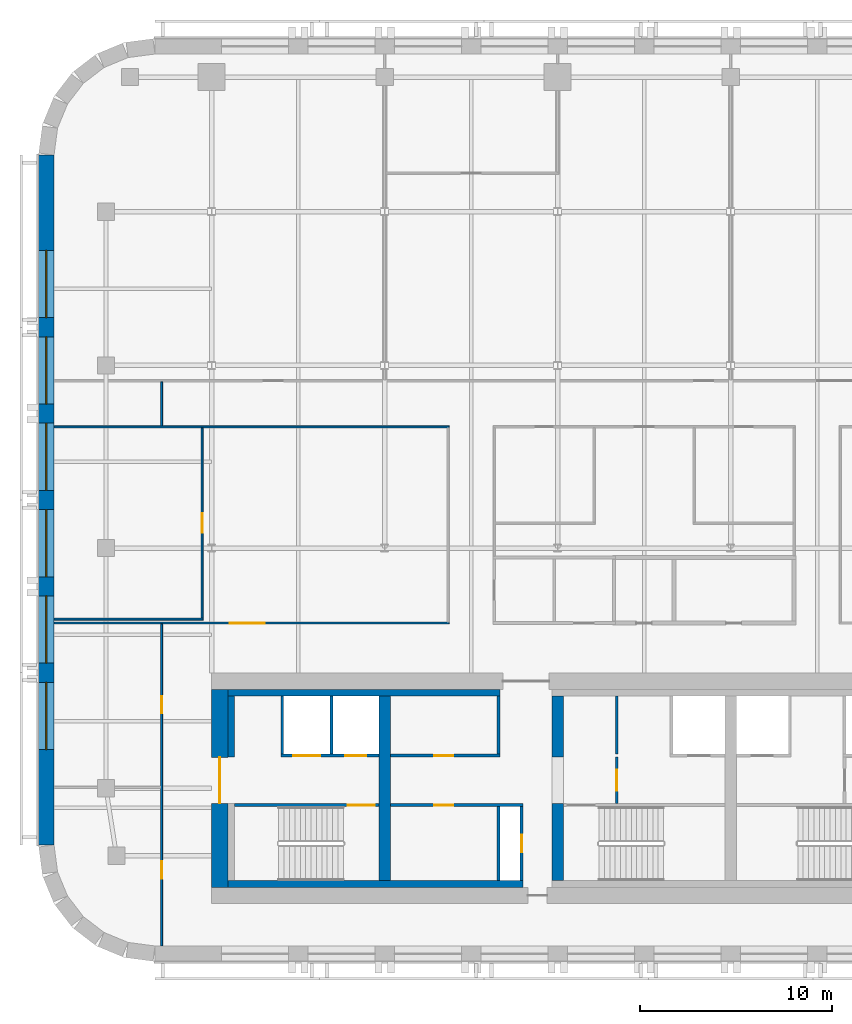
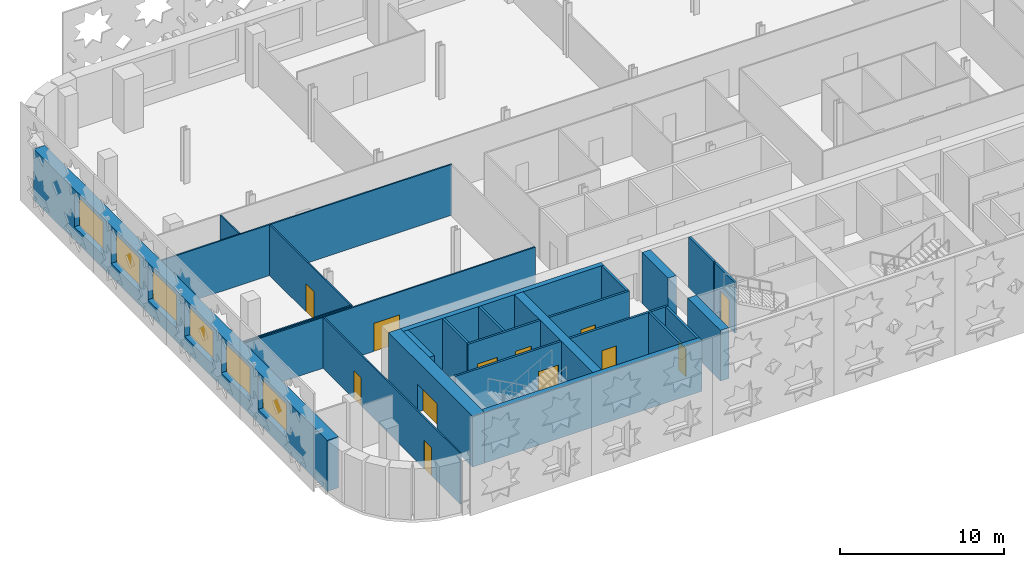
# One storey, part 3 of 12: 25 walls, 12 doors, 6 windows, 18 openings.
"""IFC4 building model written with IfcOpenShell, lengths in metres."""

from ifc_helpers import new_model, si_unit, direction, frame, frame_2d, origin, place, context, subcontext, project, spatial, rectangle, extrude, material, layer, layer_set, type_object, element, fill, save


model = new_model("IFC4")

# Units and contexts
model_context = context("Model", 3, precision=1e-05, world=origin(), true_north=direction((0.0, 1.0)))
body_context = subcontext(model_context, "Body", "Model", "MODEL_VIEW")
ifc_project = project(units=[si_unit("LENGTHUNIT", "METRE"), si_unit("AREAUNIT", "SQUARE_METRE"), si_unit("VOLUMEUNIT", "CUBIC_METRE"), si_unit("PLANEANGLEUNIT", "RADIAN"), si_unit("MASSUNIT", "GRAM", prefix="KILO")], contexts=[model_context])

# Site, building, storey
site_placement = place(None, origin())
site = spatial("IfcSite", under=ifc_project, at=site_placement, CompositionType="ELEMENT")
building_placement = place(site_placement, origin())
building = spatial("IfcBuilding", under=site, at=building_placement, Name="Zellij Exchange Tower", CompositionType="ELEMENT")
storey_placement = place(building_placement, frame((0.0, 0.0, 204.5)))
storey = spatial("IfcBuildingStorey", under=building, at=storey_placement, Name="L47", CompositionType="ELEMENT", Elevation=204.5)

# Walls
ifc_material_1 = material(Name="Concrete C60/75", Category="concrete")
ifc_layer_1 = layer(ifc_material_1, 0.60009765625)
ifc_layer_set_1 = layer_set([ifc_layer_1], Name="Concrete C60/75")
wall_type_1 = type_object("IfcWallType", Name="CORE-CW 600 C60/75", PredefinedType="SHEAR", material=ifc_layer_set_1)
wall_1_placement = place(storey_placement, frame((-18.0, -12.800048828125, 0.0), z_axis=(0.0, 0.0, 1.0), x_axis=(0.0, 1.0, 0.0)))
element("IfcWall", 1, at=wall_1_placement, inside=storey, type_object=wall_type_1, Name="Core cross wall x -18 L47", PredefinedType="SHEAR", context=body_context, shape_type="SweptSolid", body=[
    extrude(rectangle(XDim=9.60009765625, YDim=0.60009765625, at=frame_2d((4.800048828125, 0.0))), origin(), (0.0, 0.0, 1.0), 3.800048828125),
])
wall_2_placement = place(storey_placement, frame((-9.0, -12.800048828125, 0.0), z_axis=(0.0, 0.0, 1.0), x_axis=(0.0, 1.0, 0.0)))
element("IfcWall", 2, at=wall_2_placement, inside=storey, type_object=wall_type_1, Name="Core cross wall pier x -9 a L47", PredefinedType="SHEAR", context=body_context, shape_type="SweptSolid", body=[
    extrude(rectangle(XDim=4.0, YDim=0.60009765625, at=frame_2d((2.0, 0.0))), origin(), (0.0, 0.0, 1.0), 3.800048828125),
])
wall_3_placement = place(storey_placement, frame((-9.0, -6.375, 0.0), z_axis=(0.0, 0.0, 1.0), x_axis=(0.0, 1.0, 0.0)))
element("IfcWall", 3, at=wall_3_placement, inside=storey, type_object=wall_type_1, Name="Core cross wall pier x -9 b L47", PredefinedType="SHEAR", context=body_context, shape_type="SweptSolid", body=[
    extrude(rectangle(XDim=3.175048828125, YDim=0.60009765625, at=frame_2d((1.58740234375, 0.0))), origin(), (0.0, 0.0, 1.0), 3.800048828125),
])
ifc_material_2 = material(Name="Concrete C30/37", Category="concrete")
ifc_layer_2 = layer(ifc_material_2, 0.35009765625)
ifc_layer_set_2 = layer_set([ifc_layer_2], Name="Concrete C30/37")
wall_type_2 = type_object("IfcWallType", Name="CORE-LW 350 C30/37", PredefinedType="SHEAR", material=ifc_layer_set_2)
wall_4_placement = place(storey_placement, frame((-26.14990234375, -3.02490234375, 0.0), z_axis=(0.0, 0.0, 1.0), x_axis=(1.0, 0.0, 0.0)))
element("IfcWall", 4, at=wall_4_placement, inside=storey, type_object=wall_type_2, Name="Core wall lining front.0 L47", PredefinedType="SHEAR", context=body_context, shape_type="SweptSolid", body=[
    extrude(rectangle(XDim=14.14990234375, YDim=0.35009765625, at=frame_2d((7.074951171875, 0.0))), origin(), (0.0, 0.0, 1.0), 3.800048828125),
])
wall_5_placement = place(storey_placement, frame((-26.14990234375, -12.97509765625, 0.0), z_axis=(0.0, 0.0, 1.0), x_axis=(1.0, 0.0, 0.0)))
element("IfcWall", 5, at=wall_5_placement, inside=storey, type_object=wall_type_2, Name="Core wall lining rear.0 L47", PredefinedType="SHEAR", context=body_context, shape_type="SweptSolid", body=[
    extrude(rectangle(XDim=15.349853515625, YDim=0.35009765625, at=frame_2d((7.6748046875, 0.0))), origin(), (0.0, 0.0, 1.0), 3.800048828125),
])
wall_6_placement = place(storey_placement, frame((-25.97509765625, -6.375, 0.0), z_axis=(0.0, 0.0, 1.0), x_axis=(0.0, 1.0, 0.0)))
element("IfcWall", 6, at=wall_6_placement, inside=storey, type_object=wall_type_2, Name="Core wall lining end w.1 L47", PredefinedType="SHEAR", context=body_context, shape_type="SweptSolid", body=[
    extrude(rectangle(XDim=3.175048828125, YDim=0.35009765625, at=frame_2d((1.58740234375, 0.0))), origin(), (0.0, 0.0, 1.0), 3.800048828125),
])

# Wall, opening, door
ifc_material_3 = material(Name="Gypsum shaft wall system")
ifc_layer_3 = layer(ifc_material_3, 0.14990234375)
ifc_layer_set_3 = layer_set([ifc_layer_3], Name="Gypsum shaft wall system")
wall_type_3 = type_object("IfcWallType", Name="CORE-PW 150 Firefighting lobby wall", PredefinedType="PARTITIONING", material=ifc_layer_set_3)
wall_7_placement = place(storey_placement, frame((-5.925048828125, -8.800048828125, 0.0), z_axis=(0.0, 0.0, 1.0), x_axis=(0.0, 1.0, 0.0)))
wall_7 = element("IfcWall", 7, at=wall_7_placement, inside=storey, type_object=wall_type_3, Name="Firefighting lobby wall L47", PredefinedType="PARTITIONING", context=body_context, shape_type="SweptSolid", body=[
    extrude(rectangle(XDim=2.425048828125, YDim=0.14990234375, at=frame_2d((1.21240234375, 0.0))), origin(), (0.0, 0.0, 1.0), 3.800048828125),
])
opening_1_placement = place(wall_7_placement, frame((0.662109375, 0.0, 0.0)))
opening_1 = element("IfcOpeningElement", 8, at=opening_1_placement, cuts=wall_7, Name="Opening CA-24.11", PredefinedType="OPENING", context=body_context, shape_type="SweptSolid", body=[
    extrude(rectangle(XDim=1.10009765625, YDim=2.10009765625, at=frame_2d((0.550048828125, 1.050048828125))), frame((0.0, 0.0869140625, 0.0), z_axis=(0.0, -1.0, 0.0), x_axis=(1.0, 0.0, 0.0)), (0.0, 0.0, 1.0), 0.173828125),
])
ifc_material_4 = material(Name="Hollow metal fire door")
door_type_1 = type_object("IfcDoorType", Name="CORE-D F Firefighting lobby door 1100x2100 1 HR", OperationType="NOTDEFINED", PredefinedType="DOOR", material=ifc_material_4)
door_1_placement = place(opening_1_placement, origin())
door_1 = element("IfcDoor", 9, at=door_1_placement, inside=storey, type_object=door_type_1, Name="Firefighting lobby door CA-24.11", OperationType="SINGLE_SWING_LEFT", OverallHeight=2.10009765625, OverallWidth=1.10009765625, PredefinedType="DOOR", context=body_context, shape_type="SweptSolid", body=[
    extrude(rectangle(XDim=1.10009765625, YDim=2.10009765625, at=frame_2d((0.550048828125, 1.050048828125))), frame((0.0, 0.02490234375, 0.0), z_axis=(0.0, -1.0, 0.0), x_axis=(1.0, 0.0, 0.0)), (0.0, 0.0, 1.0), 0.050048828125),
])
fill(opening_1, door_1)

# Walls
ifc_material_5 = material(Name="Gypsum board partition")
ifc_layer_4 = layer(ifc_material_5, 0.14990234375)
ifc_layer_set_4 = layer_set([ifc_layer_4], Name="Gypsum board partition")
wall_type_4 = type_object("IfcWallType", Name="CORE-PW 150 Lift lobby wall", PredefinedType="PARTITIONING", material=ifc_layer_set_4)
for number, where, z_axis, x_axis, name in (
    (10, (-12.074951171875, -6.22509765625, 0.0), (0.0, 0.0, 1.0), (0.0, 1.0, 0.0), "Lift lobby wall L47"),
    (11, (-5.925048828125, -6.22509765625, 0.0), (0.0, 0.0, 1.0), (0.0, 1.0, 0.0), "Lift lobby wall L47"),
):
    element("IfcWall", number, at=place(storey_placement, frame(where, z_axis=z_axis, x_axis=x_axis)), inside=storey, type_object=wall_type_4, Name=name, PredefinedType="PARTITIONING", context=body_context, shape_type="SweptSolid", body=[
        extrude(rectangle(XDim=3.025146484375, YDim=0.14990234375, at=frame_2d((1.5126953125, 0.0))), origin(), (0.0, 0.0, 1.0), 3.800048828125),
    ])

# Wall, opening, door
wall_8_placement = place(storey_placement, frame((-10.875, -12.800048828125, 0.0), z_axis=(0.0, 0.0, 1.0), x_axis=(0.0, 1.0, 0.0)))
wall_8 = element("IfcWall", 12, at=wall_8_placement, inside=storey, type_object=wall_type_4, Name="Lift lobby wall L47", PredefinedType="PARTITIONING", context=body_context, shape_type="SweptSolid", body=[
    extrude(rectangle(XDim=3.85009765625, YDim=0.14990234375, at=frame_2d((1.925048828125, 0.0))), origin(), (0.0, 0.0, 1.0), 3.800048828125),
])
opening_2_placement = place(wall_8_placement, frame((1.47509765625, 0.0, 0.0)))
opening_2 = element("IfcOpeningElement", 13, at=opening_2_placement, cuts=wall_8, Name="Opening CA-24.07", PredefinedType="OPENING", context=body_context, shape_type="SweptSolid", body=[
    extrude(rectangle(XDim=0.89990234375, YDim=2.10009765625, at=frame_2d((0.449951171875, 1.050048828125))), frame((0.0, 0.0869140625, 0.0), z_axis=(0.0, -1.0, 0.0), x_axis=(1.0, 0.0, 0.0)), (0.0, 0.0, 1.0), 0.173828125),
])
door_type_2 = type_object("IfcDoorType", Name="CORE-D RD Riser door 900x2100 1.5 HR", OperationType="NOTDEFINED", PredefinedType="DOOR", material=ifc_material_4)
door_2_placement = place(opening_2_placement, origin())
door_2 = element("IfcDoor", 14, at=door_2_placement, inside=storey, type_object=door_type_2, Name="Riser door CA-24.07", OperationType="SINGLE_SWING_RIGHT", OverallHeight=2.10009765625, OverallWidth=0.89990234375, PredefinedType="DOOR", context=body_context, shape_type="SweptSolid", body=[
    extrude(rectangle(XDim=0.89990234375, YDim=2.10009765625, at=frame_2d((0.449951171875, 1.050048828125))), frame((0.0, 0.02490234375, 0.0), z_axis=(0.0, -1.0, 0.0), x_axis=(1.0, 0.0, 0.0)), (0.0, 0.0, 1.0), 0.050048828125),
])
fill(opening_2, door_2)

# Wall
wall_9_placement = place(storey_placement, frame((-12.074951171875, -12.800048828125, 0.0), z_axis=(0.0, 0.0, 1.0), x_axis=(0.0, 1.0, 0.0)))
element("IfcWall", 15, at=wall_9_placement, inside=storey, type_object=wall_type_4, Name="Lift lobby wall L47", PredefinedType="PARTITIONING", context=body_context, shape_type="SweptSolid", body=[
    extrude(rectangle(XDim=3.85009765625, YDim=0.14990234375, at=frame_2d((1.925048828125, 0.0))), origin(), (0.0, 0.0, 1.0), 3.800048828125),
])

# Wall, opening, door
wall_10_placement = place(storey_placement, frame((-17.699951171875, -6.300048828125, 0.0), z_axis=(0.0, 0.0, 1.0), x_axis=(1.0, 0.0, 0.0)))
wall_10 = element("IfcWall", 16, at=wall_10_placement, inside=storey, type_object=wall_type_4, Name="Lift lobby wall L47", PredefinedType="PARTITIONING", context=body_context, shape_type="SweptSolid", body=[
    extrude(rectangle(XDim=5.699951171875, YDim=0.14990234375, at=frame_2d((2.85009765625, 0.0))), origin(), (0.0, 0.0, 1.0), 3.800048828125),
])
opening_3_placement = place(wall_10_placement, frame((2.27490234375, 0.0, 0.0)))
opening_3 = element("IfcOpeningElement", 17, at=opening_3_placement, cuts=wall_10, Name="Opening CA-24.06", PredefinedType="OPENING", context=body_context, shape_type="SweptSolid", body=[
    extrude(rectangle(XDim=1.0, YDim=2.10009765625, at=frame_2d((0.5, 1.050048828125))), frame((0.0, 0.0869140625, 0.0), z_axis=(0.0, -1.0, 0.0), x_axis=(1.0, 0.0, 0.0)), (0.0, 0.0, 1.0), 0.173828125),
])
door_type_3 = type_object("IfcDoorType", Name="CORE-D CD Core room door 1000x2100 1 HR", OperationType="NOTDEFINED", PredefinedType="DOOR", material=ifc_material_4)
door_3_placement = place(opening_3_placement, origin())
door_3 = element("IfcDoor", 18, at=door_3_placement, inside=storey, type_object=door_type_3, Name="Core room door CA-24.06", OperationType="SINGLE_SWING_LEFT", OverallHeight=2.10009765625, OverallWidth=1.0, PredefinedType="DOOR", context=body_context, shape_type="SweptSolid", body=[
    extrude(rectangle(XDim=1.0, YDim=2.10009765625, at=frame_2d((0.5, 1.050048828125))), frame((0.0, 0.02490234375, 0.0), z_axis=(0.0, -1.0, 0.0), x_axis=(1.0, 0.0, 0.0)), (0.0, 0.0, 1.0), 0.050048828125),
])
fill(opening_3, door_3)

wall_11_placement = place(storey_placement, frame((-17.699951171875, -8.875, 0.0), z_axis=(0.0, 0.0, 1.0), x_axis=(1.0, 0.0, 0.0)))
wall_11 = element("IfcWall", 19, at=wall_11_placement, inside=storey, type_object=wall_type_4, Name="Lift lobby wall L47", PredefinedType="PARTITIONING", context=body_context, shape_type="SweptSolid", body=[
    extrude(rectangle(XDim=6.89990234375, YDim=0.14990234375, at=frame_2d((3.449951171875, 0.0))), origin(), (0.0, 0.0, 1.0), 3.800048828125),
])
opening_4_placement = place(wall_11_placement, frame((2.27490234375, 0.0, 0.0)))
opening_4 = element("IfcOpeningElement", 20, at=opening_4_placement, cuts=wall_11, Name="Opening CA-24.05", PredefinedType="OPENING", context=body_context, shape_type="SweptSolid", body=[
    extrude(rectangle(XDim=1.0, YDim=2.10009765625, at=frame_2d((0.5, 1.050048828125))), frame((0.0, 0.0869140625, 0.0), z_axis=(0.0, -1.0, 0.0), x_axis=(1.0, 0.0, 0.0)), (0.0, 0.0, 1.0), 0.173828125),
])
door_4_placement = place(opening_4_placement, origin())
door_4 = element("IfcDoor", 21, at=door_4_placement, inside=storey, type_object=door_type_3, Name="Core room door CA-24.05", OperationType="SINGLE_SWING_RIGHT", OverallHeight=2.10009765625, OverallWidth=1.0, PredefinedType="DOOR", context=body_context, shape_type="SweptSolid", body=[
    extrude(rectangle(XDim=1.0, YDim=2.10009765625, at=frame_2d((0.5, 1.050048828125))), frame((0.0, 0.02490234375, 0.0), z_axis=(0.0, -1.0, 0.0), x_axis=(1.0, 0.0, 0.0)), (0.0, 0.0, 1.0), 0.050048828125),
])
fill(opening_4, door_4)

# Walls
ifc_layer_5 = layer(ifc_material_3, 0.14990234375)
ifc_layer_set_5 = layer_set([ifc_layer_5], Name="Gypsum shaft wall system")
wall_type_5 = type_object("IfcWallType", Name="CORE-PW 150 Lift shaft wall", PredefinedType="PARTITIONING", material=ifc_layer_set_5)
for number, where, z_axis, x_axis, name in (
    (22, (-20.77490234375, -6.22509765625, 0.0), (0.0, 0.0, 1.0), (0.0, 1.0, 0.0), "Lift shaft wall L47"),
    (23, (-23.324951171875, -6.22509765625, 0.0), (0.0, 0.0, 1.0), (0.0, 1.0, 0.0), "Lift shaft wall L47"),
):
    element("IfcWall", number, at=place(storey_placement, frame(where, z_axis=z_axis, x_axis=x_axis)), inside=storey, type_object=wall_type_5, Name=name, PredefinedType="PARTITIONING", context=body_context, shape_type="SweptSolid", body=[
        extrude(rectangle(XDim=3.025146484375, YDim=0.14990234375, at=frame_2d((1.5126953125, 0.0))), origin(), (0.0, 0.0, 1.0), 3.800048828125),
    ])

# Wall, openings, doors
wall_12_placement = place(storey_placement, frame((-23.39990234375, -6.300048828125, 0.0), z_axis=(0.0, 0.0, 1.0), x_axis=(1.0, 0.0, 0.0)))
wall_12 = element("IfcWall", 24, at=wall_12_placement, inside=storey, type_object=wall_type_5, Name="Lift shaft wall L47", PredefinedType="PARTITIONING", context=body_context, shape_type="SweptSolid", body=[
    extrude(rectangle(XDim=5.099853515625, YDim=0.14990234375, at=frame_2d((2.5498046875, 0.0))), origin(), (0.0, 0.0, 1.0), 3.800048828125),
])
opening_5_placement = place(wall_12_placement, frame((0.64990234375, 0.0, 0.0)))
opening_5 = element("IfcOpeningElement", 25, at=opening_5_placement, cuts=wall_12, Name="Opening CA-24.02", PredefinedType="OPENING", context=body_context, shape_type="SweptSolid", body=[
    extrude(rectangle(XDim=1.39990234375, YDim=2.10009765625, at=frame_2d((0.699951171875, 1.050048828125))), frame((0.0, 0.0869140625, 0.0), z_axis=(0.0, -1.0, 0.0), x_axis=(1.0, 0.0, 0.0)), (0.0, 0.0, 1.0), 0.173828125),
])
opening_6_placement = place(wall_12_placement, frame((3.35009765625, 0.0, 0.0)))
opening_6 = element("IfcOpeningElement", 26, at=opening_6_placement, cuts=wall_12, Name="Opening CA-24.03", PredefinedType="OPENING", context=body_context, shape_type="SweptSolid", body=[
    extrude(rectangle(XDim=1.10009765625, YDim=2.10009765625, at=frame_2d((0.550048828125, 1.050048828125))), frame((0.0, 0.0869140625, 0.0), z_axis=(0.0, -1.0, 0.0), x_axis=(1.0, 0.0, 0.0)), (0.0, 0.0, 1.0), 0.173828125),
])
door_type_4 = type_object("IfcDoorType", Name="CORE-D LD Lift landing door 1100x2100 1.5 HR", OperationType="NOTDEFINED", PredefinedType="DOOR", material=ifc_material_4)
door_5_placement = place(opening_6_placement, origin())
door_5 = element("IfcDoor", 27, at=door_5_placement, inside=storey, type_object=door_type_4, Name="Lift landing door CA-24.03", OperationType="SLIDING_TO_LEFT", OverallHeight=2.10009765625, OverallWidth=1.10009765625, PredefinedType="DOOR", context=body_context, shape_type="SweptSolid", body=[
    extrude(rectangle(XDim=1.10009765625, YDim=2.10009765625, at=frame_2d((0.550048828125, 1.050048828125))), frame((0.0, 0.02490234375, 0.0), z_axis=(0.0, -1.0, 0.0), x_axis=(1.0, 0.0, 0.0)), (0.0, 0.0, 1.0), 0.050048828125),
])
fill(opening_6, door_5)
door_type_5 = type_object("IfcDoorType", Name="CORE-D LD2 Service lift landing door 1400x2100 1.5 HR", OperationType="NOTDEFINED", PredefinedType="DOOR", material=ifc_material_4)
door_6_placement = place(opening_5_placement, origin())
door_6 = element("IfcDoor", 28, at=door_6_placement, inside=storey, type_object=door_type_5, Name="Service lift landing door CA-24.02", OperationType="SLIDING_TO_RIGHT", OverallHeight=2.10009765625, OverallWidth=1.39990234375, PredefinedType="DOOR", context=body_context, shape_type="SweptSolid", body=[
    extrude(rectangle(XDim=1.39990234375, YDim=2.10009765625, at=frame_2d((0.699951171875, 1.050048828125))), frame((0.0, 0.02490234375, 0.0), z_axis=(0.0, -1.0, 0.0), x_axis=(1.0, 0.0, 0.0)), (0.0, 0.0, 1.0), 0.050048828125),
])
fill(opening_5, door_6)

# Wall, opening, door
ifc_layer_6 = layer(ifc_material_1, 0.85009765625)
ifc_layer_set_6 = layer_set([ifc_layer_6], Name="Concrete C60/75")
wall_type_6 = type_object("IfcWallType", Name="CORE-SW 850 C60/75", PredefinedType="SHEAR", material=ifc_layer_set_6)
wall_13_placement = place(storey_placement, frame((-26.574951171875, -13.14990234375, 0.0), z_axis=(0.0, 0.0, 1.0), x_axis=(0.0, 1.0, 0.0)))
wall_13 = element("IfcWall", 29, at=wall_13_placement, inside=storey, type_object=wall_type_6, Name="Core shear wall end w L47", PredefinedType="SHEAR", context=body_context, shape_type="SweptSolid", body=[
    extrude(rectangle(XDim=10.2998046875, YDim=0.85009765625, at=frame_2d((5.14990234375, 0.0))), origin(), (0.0, 0.0, 1.0), 3.800048828125),
])
opening_7_placement = place(wall_13_placement, frame((4.362060546875, 0.0, 0.0)))
opening_7 = element("IfcOpeningElement", 30, at=opening_7_placement, cuts=wall_13, Name="Opening CA-24.01", PredefinedType="OPENING", context=body_context, shape_type="SweptSolid", body=[
    extrude(rectangle(XDim=2.39990234375, YDim=2.10009765625, at=frame_2d((1.199951171875, 1.050048828125))), frame((0.0, 0.43701171875, 0.0), z_axis=(0.0, -1.0, 0.0), x_axis=(1.0, 0.0, 0.0)), (0.0, 0.0, 1.0), 0.8740234375),
])
door_type_6 = type_object("IfcDoorType", Name="CORE-D CE Core entrance door 2400x2100 20 MIN", OperationType="NOTDEFINED", PredefinedType="DOOR", material=ifc_material_4)
door_7_placement = place(opening_7_placement, origin())
door_7 = element("IfcDoor", 31, at=door_7_placement, inside=storey, type_object=door_type_6, Name="Core entrance door CA-24.01", OperationType="DOUBLE_DOOR_SINGLE_SWING", OverallHeight=2.10009765625, OverallWidth=2.39990234375, PredefinedType="DOOR", context=body_context, shape_type="SweptSolid", body=[
    extrude(rectangle(XDim=2.39990234375, YDim=2.10009765625, at=frame_2d((1.199951171875, 1.050048828125))), frame((0.0, 0.02490234375, 0.0), z_axis=(0.0, -1.0, 0.0), x_axis=(1.0, 0.0, 0.0)), (0.0, 0.0, 1.0), 0.050048828125),
])
fill(opening_7, door_7)

ifc_layer_7 = layer(ifc_material_1, 0.14990234375)
ifc_layer_set_7 = layer_set([ifc_layer_7], Name="Concrete C60/75")
wall_type_7 = type_object("IfcWallType", Name="CORE-SWS 150 C60/75", PredefinedType="SHEAR", material=ifc_layer_set_7)
wall_14_placement = place(storey_placement, frame((-25.800048828125, -8.875, 0.0), z_axis=(0.0, 0.0, 1.0), x_axis=(1.0, 0.0, 0.0)))
wall_14 = element("IfcWall", 32, at=wall_14_placement, inside=storey, type_object=wall_type_7, Name="Stair enclosure wall L47", PredefinedType="SHEAR", context=body_context, shape_type="SweptSolid", body=[
    extrude(rectangle(XDim=7.5, YDim=0.14990234375, at=frame_2d((3.75, 0.0))), origin(), (0.0, 0.0, 1.0), 3.800048828125),
])
opening_8_placement = place(wall_14_placement, frame((5.875, 0.0, 0.0)))
opening_8 = element("IfcOpeningElement", 33, at=opening_8_placement, cuts=wall_14, Name="Opening CA-24.04", PredefinedType="OPENING", context=body_context, shape_type="SweptSolid", body=[
    extrude(rectangle(XDim=1.39990234375, YDim=2.10009765625, at=frame_2d((0.699951171875, 1.050048828125))), frame((0.0, 0.0869140625, 0.0), z_axis=(0.0, -1.0, 0.0), x_axis=(1.0, 0.0, 0.0)), (0.0, 0.0, 1.0), 0.173828125),
])
door_type_7 = type_object("IfcDoorType", Name="CORE-D SD Stair door 1400x2100 1.5 HR", OperationType="NOTDEFINED", PredefinedType="DOOR", material=ifc_material_4)
door_8_placement = place(opening_8_placement, origin())
door_8 = element("IfcDoor", 34, at=door_8_placement, inside=storey, type_object=door_type_7, Name="Stair door CA-24.04", OperationType="DOUBLE_DOOR_SINGLE_SWING", OverallHeight=2.10009765625, OverallWidth=1.39990234375, PredefinedType="DOOR", context=body_context, shape_type="SweptSolid", body=[
    extrude(rectangle(XDim=1.39990234375, YDim=2.10009765625, at=frame_2d((0.699951171875, 1.050048828125))), frame((0.0, 0.02490234375, 0.0), z_axis=(0.0, -1.0, 0.0), x_axis=(1.0, 0.0, 0.0)), (0.0, 0.0, 1.0), 0.050048828125),
])
fill(opening_8, door_8)

# Wall, openings, windows
ifc_material_6 = material(Name="Precast concrete C40/50", Category="concrete")
ifc_layer_8 = layer(ifc_material_6, 0.800048828125)
ifc_layer_set_8 = layer_set([ifc_layer_8], Name="Precast concrete C40/50")
wall_type_8 = type_object("IfcWallType", Name="ENV-EW1 Precast stone-piered wall 800", PredefinedType="SOLIDWALL", material=ifc_layer_set_8)
wall_15_placement = place(storey_placement, frame((-35.60009765625, 24.947509765625, 0.0), z_axis=(0.0, 0.0, 1.0), x_axis=(0.0, -1.0, 0.0)))
wall_15 = element("IfcWall", 35, at=wall_15_placement, inside=storey, type_object=wall_type_8, Name="fac.L47.21", PredefinedType="SOLIDWALL", context=body_context, shape_type="SweptSolid", body=[
    extrude(rectangle(XDim=35.89501953125, YDim=0.800048828125, at=frame_2d((17.947509765625, 0.0))), origin(), (0.0, 0.0, 1.0), 3.800048828125),
])
opening_9_placement = place(wall_15_placement, frame((4.9638671875, 0.0, 1.0)))
opening_9 = element("IfcOpeningElement", 36, at=opening_9_placement, cuts=wall_15, Name="Opening FZ3.31", PredefinedType="OPENING", context=body_context, shape_type="SweptSolid", body=[
    extrude(rectangle(XDim=3.5, YDim=2.5, at=frame_2d((1.75, 1.25))), frame((0.0, 0.412109375, 0.0), z_axis=(0.0, -1.0, 0.0), x_axis=(1.0, 0.0, 0.0)), (0.0, 0.0, 1.0), 0.823974609375),
])
opening_10_placement = place(wall_15_placement, frame((9.45751953125, 0.0, 1.0)))
opening_10 = element("IfcOpeningElement", 37, at=opening_10_placement, cuts=wall_15, Name="Opening FZ3.32", PredefinedType="OPENING", context=body_context, shape_type="SweptSolid", body=[
    extrude(rectangle(XDim=3.5, YDim=2.5, at=frame_2d((1.75, 1.25))), frame((0.0, 0.412109375, 0.0), z_axis=(0.0, -1.0, 0.0), x_axis=(1.0, 0.0, 0.0)), (0.0, 0.0, 1.0), 0.823974609375),
])
opening_11_placement = place(wall_15_placement, frame((13.950927734375, 0.0, 1.0)))
opening_11 = element("IfcOpeningElement", 38, at=opening_11_placement, cuts=wall_15, Name="Opening FZ3.33", PredefinedType="OPENING", context=body_context, shape_type="SweptSolid", body=[
    extrude(rectangle(XDim=3.5, YDim=2.5, at=frame_2d((1.75, 1.25))), frame((0.0, 0.412109375, 0.0), z_axis=(0.0, -1.0, 0.0), x_axis=(1.0, 0.0, 0.0)), (0.0, 0.0, 1.0), 0.823974609375),
])
opening_12_placement = place(wall_15_placement, frame((18.4443359375, 0.0, 1.0)))
opening_12 = element("IfcOpeningElement", 39, at=opening_12_placement, cuts=wall_15, Name="Opening FZ3.34", PredefinedType="OPENING", context=body_context, shape_type="SweptSolid", body=[
    extrude(rectangle(XDim=3.5, YDim=2.5, at=frame_2d((1.75, 1.25))), frame((0.0, 0.412109375, 0.0), z_axis=(0.0, -1.0, 0.0), x_axis=(1.0, 0.0, 0.0)), (0.0, 0.0, 1.0), 0.823974609375),
])
opening_13_placement = place(wall_15_placement, frame((22.937744140625, 0.0, 1.0)))
opening_13 = element("IfcOpeningElement", 40, at=opening_13_placement, cuts=wall_15, Name="Opening FZ3.35", PredefinedType="OPENING", context=body_context, shape_type="SweptSolid", body=[
    extrude(rectangle(XDim=3.5, YDim=2.5, at=frame_2d((1.75, 1.25))), frame((0.0, 0.412109375, 0.0), z_axis=(0.0, -1.0, 0.0), x_axis=(1.0, 0.0, 0.0)), (0.0, 0.0, 1.0), 0.823974609375),
])
opening_14_placement = place(wall_15_placement, frame((27.43115234375, 0.0, 1.0)))
opening_14 = element("IfcOpeningElement", 41, at=opening_14_placement, cuts=wall_15, Name="Opening FZ3.36", PredefinedType="OPENING", context=body_context, shape_type="SweptSolid", body=[
    extrude(rectangle(XDim=3.5, YDim=2.5, at=frame_2d((1.75, 1.25))), frame((0.0, 0.412109375, 0.0), z_axis=(0.0, -1.0, 0.0), x_axis=(1.0, 0.0, 0.0)), (0.0, 0.0, 1.0), 0.823974609375),
])
ifc_material_7 = material(Name="Aluminium frame with insulating glass", Category="aluminium")
window_type = type_object("IfcWindowType", Name="ENV-W1 Window 3500x2500", PartitioningType="SINGLE_PANEL", PredefinedType="WINDOW", material=ifc_material_7)
window_1_placement = place(opening_9_placement, origin())
window_1 = element("IfcWindow", 42, at=window_1_placement, inside=storey, type_object=window_type, Name="Window FZ3.31", OverallHeight=2.5, OverallWidth=3.5, PartitioningType="SINGLE_PANEL", PredefinedType="WINDOW", context=body_context, shape_type="SweptSolid", body=[
    extrude(rectangle(XDim=3.5, YDim=2.5, at=frame_2d((1.75, 1.25))), frame((0.0, 0.030029296875, 0.0), z_axis=(0.0, -1.0, 0.0), x_axis=(1.0, 0.0, 0.0)), (0.0, 0.0, 1.0), 0.06005859375),
])
fill(opening_9, window_1)
window_2_placement = place(opening_10_placement, origin())
window_2 = element("IfcWindow", 43, at=window_2_placement, inside=storey, type_object=window_type, Name="Window FZ3.32", OverallHeight=2.5, OverallWidth=3.5, PartitioningType="SINGLE_PANEL", PredefinedType="WINDOW", context=body_context, shape_type="SweptSolid", body=[
    extrude(rectangle(XDim=3.5, YDim=2.5, at=frame_2d((1.75, 1.25))), frame((0.0, 0.030029296875, 0.0), z_axis=(0.0, -1.0, 0.0), x_axis=(1.0, 0.0, 0.0)), (0.0, 0.0, 1.0), 0.06005859375),
])
fill(opening_10, window_2)
window_3_placement = place(opening_11_placement, origin())
window_3 = element("IfcWindow", 44, at=window_3_placement, inside=storey, type_object=window_type, Name="Window FZ3.33", OverallHeight=2.5, OverallWidth=3.5, PartitioningType="SINGLE_PANEL", PredefinedType="WINDOW", context=body_context, shape_type="SweptSolid", body=[
    extrude(rectangle(XDim=3.5, YDim=2.5, at=frame_2d((1.75, 1.25))), frame((0.0, 0.030029296875, 0.0), z_axis=(0.0, -1.0, 0.0), x_axis=(1.0, 0.0, 0.0)), (0.0, 0.0, 1.0), 0.06005859375),
])
fill(opening_11, window_3)
window_4_placement = place(opening_12_placement, origin())
window_4 = element("IfcWindow", 45, at=window_4_placement, inside=storey, type_object=window_type, Name="Window FZ3.34", OverallHeight=2.5, OverallWidth=3.5, PartitioningType="SINGLE_PANEL", PredefinedType="WINDOW", context=body_context, shape_type="SweptSolid", body=[
    extrude(rectangle(XDim=3.5, YDim=2.5, at=frame_2d((1.75, 1.25))), frame((0.0, 0.030029296875, 0.0), z_axis=(0.0, -1.0, 0.0), x_axis=(1.0, 0.0, 0.0)), (0.0, 0.0, 1.0), 0.06005859375),
])
fill(opening_12, window_4)
window_5_placement = place(opening_13_placement, origin())
window_5 = element("IfcWindow", 46, at=window_5_placement, inside=storey, type_object=window_type, Name="Window FZ3.35", OverallHeight=2.5, OverallWidth=3.5, PartitioningType="SINGLE_PANEL", PredefinedType="WINDOW", context=body_context, shape_type="SweptSolid", body=[
    extrude(rectangle(XDim=3.5, YDim=2.5, at=frame_2d((1.75, 1.25))), frame((0.0, 0.030029296875, 0.0), z_axis=(0.0, -1.0, 0.0), x_axis=(1.0, 0.0, 0.0)), (0.0, 0.0, 1.0), 0.06005859375),
])
fill(opening_13, window_5)
window_6_placement = place(opening_14_placement, origin())
window_6 = element("IfcWindow", 47, at=window_6_placement, inside=storey, type_object=window_type, Name="Window FZ3.36", OverallHeight=2.5, OverallWidth=3.5, PartitioningType="SINGLE_PANEL", PredefinedType="WINDOW", context=body_context, shape_type="SweptSolid", body=[
    extrude(rectangle(XDim=3.5, YDim=2.5, at=frame_2d((1.75, 1.25))), frame((0.0, 0.030029296875, 0.0), z_axis=(0.0, -1.0, 0.0), x_axis=(1.0, 0.0, 0.0)), (0.0, 0.0, 1.0), 0.06005859375),
])
fill(opening_14, window_6)

# Wall, openings, doors
ifc_material_8 = material(Name="Gypsum board partition on steel studs", Category="steel")
ifc_layer_9 = layer(ifc_material_8, 0.10009765625)
ifc_layer_set_9 = layer_set([ifc_layer_9], Name="Gypsum board partition on steel studs")
wall_type_9 = type_object("IfcWallType", Name="FIT-PARTITION-100", PredefinedType="PARTITIONING", material=ifc_layer_set_9)
wall_16_placement = place(storey_placement, frame((-29.60009765625, -16.199951171875, 0.0), z_axis=(0.0, 0.0, 1.0), x_axis=(0.0, 1.0, 0.0)))
wall_16 = element("IfcWall", 48, at=wall_16_placement, inside=storey, type_object=wall_type_9, Name="FIT-PARTITION-100 001", PredefinedType="PARTITIONING", context=body_context, shape_type="SweptSolid", body=[
    extrude(rectangle(XDim=16.75, YDim=0.10009765625, at=frame_2d((8.375, 0.0))), origin(), (0.0, 0.0, 1.0), 3.800048828125),
])
opening_15_placement = place(wall_16_placement, frame((3.5, 0.0, 0.0)))
opening_15 = element("IfcOpeningElement", 49, at=opening_15_placement, cuts=wall_16, Name="Opening O3E.01", PredefinedType="OPENING", context=body_context, shape_type="SweptSolid", body=[
    extrude(rectangle(XDim=0.89990234375, YDim=2.10009765625, at=frame_2d((0.449951171875, 1.050048828125))), frame((0.0, 0.06201171875, 0.0), z_axis=(0.0, -1.0, 0.0), x_axis=(1.0, 0.0, 0.0)), (0.0, 0.0, 1.0), 0.1240234375),
])
opening_16_placement = place(wall_16_placement, frame((12.10009765625, 0.0, 0.0)))
opening_16 = element("IfcOpeningElement", 50, at=opening_16_placement, cuts=wall_16, Name="Opening O3E.03", PredefinedType="OPENING", context=body_context, shape_type="SweptSolid", body=[
    extrude(rectangle(XDim=0.89990234375, YDim=2.10009765625, at=frame_2d((0.449951171875, 1.050048828125))), frame((0.0, 0.06201171875, 0.0), z_axis=(0.0, -1.0, 0.0), x_axis=(1.0, 0.0, 0.0)), (0.0, 0.0, 1.0), 0.1240234375),
])
ifc_material_9 = material(Name="Timber door set", Category="wood")
door_type_8 = type_object("IfcDoorType", Name="FIT-D1-ROOM-900X2100", OperationType="SINGLE_SWING_LEFT", PredefinedType="DOOR", material=ifc_material_9)
door_9_placement = place(opening_15_placement, origin())
door_9 = element("IfcDoor", 51, at=door_9_placement, inside=storey, type_object=door_type_8, Name="Door O3E.01", OperationType="SINGLE_SWING_RIGHT", OverallHeight=2.10009765625, OverallWidth=0.89990234375, PredefinedType="DOOR", context=body_context, shape_type="SweptSolid", body=[
    extrude(rectangle(XDim=0.89990234375, YDim=2.10009765625, at=frame_2d((0.449951171875, 1.050048828125))), frame((0.0, 0.02490234375, 0.0), z_axis=(0.0, -1.0, 0.0), x_axis=(1.0, 0.0, 0.0)), (0.0, 0.0, 1.0), 0.050048828125),
])
fill(opening_15, door_9)
door_10_placement = place(opening_16_placement, origin())
door_10 = element("IfcDoor", 52, at=door_10_placement, inside=storey, type_object=door_type_8, Name="Door O3E.03", OperationType="SINGLE_SWING_LEFT", OverallHeight=2.10009765625, OverallWidth=0.89990234375, PredefinedType="DOOR", context=body_context, shape_type="SweptSolid", body=[
    extrude(rectangle(XDim=0.89990234375, YDim=2.10009765625, at=frame_2d((0.449951171875, 1.050048828125))), frame((0.0, 0.02490234375, 0.0), z_axis=(0.0, -1.0, 0.0), x_axis=(1.0, 0.0, 0.0)), (0.0, 0.0, 1.0), 0.050048828125),
])
fill(opening_16, door_10)

# Wall, opening, door
wall_17_placement = place(storey_placement, frame((-35.199951171875, 0.60009765625, 0.0), z_axis=(0.0, 0.0, 1.0), x_axis=(1.0, 0.0, 0.0)))
wall_17 = element("IfcWall", 53, at=wall_17_placement, inside=storey, type_object=wall_type_9, Name="FIT-PARTITION-100 005", PredefinedType="PARTITIONING", context=body_context, shape_type="SweptSolid", body=[
    extrude(rectangle(XDim=20.550048828125, YDim=0.10009765625, at=frame_2d((10.27490234375, 0.0))), origin(), (0.0, 0.0, 1.0), 3.800048828125),
])
opening_17_placement = place(wall_17_placement, frame((9.14990234375, 0.0, 0.0)))
opening_17 = element("IfcOpeningElement", 54, at=opening_17_placement, cuts=wall_17, Name="Opening O3E.04", PredefinedType="OPENING", context=body_context, shape_type="SweptSolid", body=[
    extrude(rectangle(XDim=1.800048828125, YDim=2.10009765625, at=frame_2d((0.89990234375, 1.050048828125))), frame((0.0, 0.06201171875, 0.0), z_axis=(0.0, -1.0, 0.0), x_axis=(1.0, 0.0, 0.0)), (0.0, 0.0, 1.0), 0.1240234375),
])
door_type_9 = type_object("IfcDoorType", Name="FIT-D3-DOUBLE-1800X2100", OperationType="DOUBLE_DOOR_SINGLE_SWING", PredefinedType="DOOR", material=ifc_material_9)
door_11_placement = place(opening_17_placement, origin())
door_11 = element("IfcDoor", 55, at=door_11_placement, inside=storey, type_object=door_type_9, Name="Door O3E.04", OperationType="DOUBLE_DOOR_SINGLE_SWING", OverallHeight=2.10009765625, OverallWidth=1.800048828125, PredefinedType="DOOR", context=body_context, shape_type="SweptSolid", body=[
    extrude(rectangle(XDim=1.800048828125, YDim=2.10009765625, at=frame_2d((0.89990234375, 1.050048828125))), frame((0.0, 0.02490234375, 0.0), z_axis=(0.0, -1.0, 0.0), x_axis=(1.0, 0.0, 0.0)), (0.0, 0.0, 1.0), 0.050048828125),
])
fill(opening_17, door_11)

# Wall
wall_18_placement = place(storey_placement, frame((-35.199951171875, 0.800048828125, 0.0), z_axis=(0.0, 0.0, 1.0), x_axis=(1.0, 0.0, 0.0)))
element("IfcWall", 56, at=wall_18_placement, inside=storey, type_object=wall_type_9, Name="FIT-PARTITION-100 021", PredefinedType="PARTITIONING", context=body_context, shape_type="SweptSolid", body=[
    extrude(rectangle(XDim=7.75, YDim=0.10009765625, at=frame_2d((3.875, 0.0))), origin(), (0.0, 0.0, 1.0), 3.800048828125),
])

# Wall, opening, door
wall_19_placement = place(storey_placement, frame((-27.5, 0.85009765625, 0.0), z_axis=(0.0, 0.0, 1.0), x_axis=(0.0, 1.0, 0.0)))
wall_19 = element("IfcWall", 57, at=wall_19_placement, inside=storey, type_object=wall_type_9, Name="FIT-PARTITION-100 022", PredefinedType="PARTITIONING", context=body_context, shape_type="SweptSolid", body=[
    extrude(rectangle(XDim=9.89990234375, YDim=0.10009765625, at=frame_2d((4.949951171875, 0.0))), origin(), (0.0, 0.0, 1.0), 3.800048828125),
])
opening_18_placement = place(wall_19_placement, frame((4.449951171875, 0.0, 0.0)))
opening_18 = element("IfcOpeningElement", 58, at=opening_18_placement, cuts=wall_19, Name="Opening O3E.14", PredefinedType="OPENING", context=body_context, shape_type="SweptSolid", body=[
    extrude(rectangle(XDim=1.0, YDim=2.10009765625, at=frame_2d((0.5, 1.050048828125))), frame((0.0, 0.06201171875, 0.0), z_axis=(0.0, -1.0, 0.0), x_axis=(1.0, 0.0, 0.0)), (0.0, 0.0, 1.0), 0.1240234375),
])
door_type_10 = type_object("IfcDoorType", Name="FIT-D2-WIDE-1000X2100", OperationType="SINGLE_SWING_LEFT", PredefinedType="DOOR", material=ifc_material_9)
door_12_placement = place(opening_18_placement, origin())
door_12 = element("IfcDoor", 59, at=door_12_placement, inside=storey, type_object=door_type_10, Name="Door O3E.14", OperationType="SINGLE_SWING_RIGHT", OverallHeight=2.10009765625, OverallWidth=1.0, PredefinedType="DOOR", context=body_context, shape_type="SweptSolid", body=[
    extrude(rectangle(XDim=1.0, YDim=2.10009765625, at=frame_2d((0.5, 1.050048828125))), frame((0.0, 0.02490234375, 0.0), z_axis=(0.0, -1.0, 0.0), x_axis=(1.0, 0.0, 0.0)), (0.0, 0.0, 1.0), 0.050048828125),
])
fill(opening_18, door_12)

# Walls
wall_20_placement = place(storey_placement, frame((-35.199951171875, 10.800048828125, 0.0), z_axis=(0.0, 0.0, 1.0), x_axis=(1.0, 0.0, 0.0)))
element("IfcWall", 60, at=wall_20_placement, inside=storey, type_object=wall_type_9, Name="FIT-PARTITION-100 035", PredefinedType="PARTITIONING", context=body_context, shape_type="SweptSolid", body=[
    extrude(rectangle(XDim=20.550048828125, YDim=0.10009765625, at=frame_2d((10.27490234375, 0.0))), origin(), (0.0, 0.0, 1.0), 3.800048828125),
])
wall_21_placement = place(storey_placement, frame((-29.60009765625, 10.85009765625, 0.0), z_axis=(0.0, 0.0, 1.0), x_axis=(0.0, 1.0, 0.0)))
element("IfcWall", 61, at=wall_21_placement, inside=storey, type_object=wall_type_9, Name="FIT-PARTITION-100 036", PredefinedType="PARTITIONING", context=body_context, shape_type="SweptSolid", body=[
    extrude(rectangle(XDim=2.2998046875, YDim=0.10009765625, at=frame_2d((1.14990234375, 0.0))), origin(), (0.0, 0.0, 1.0), 3.800048828125),
])

save(model, "model.ifc")
